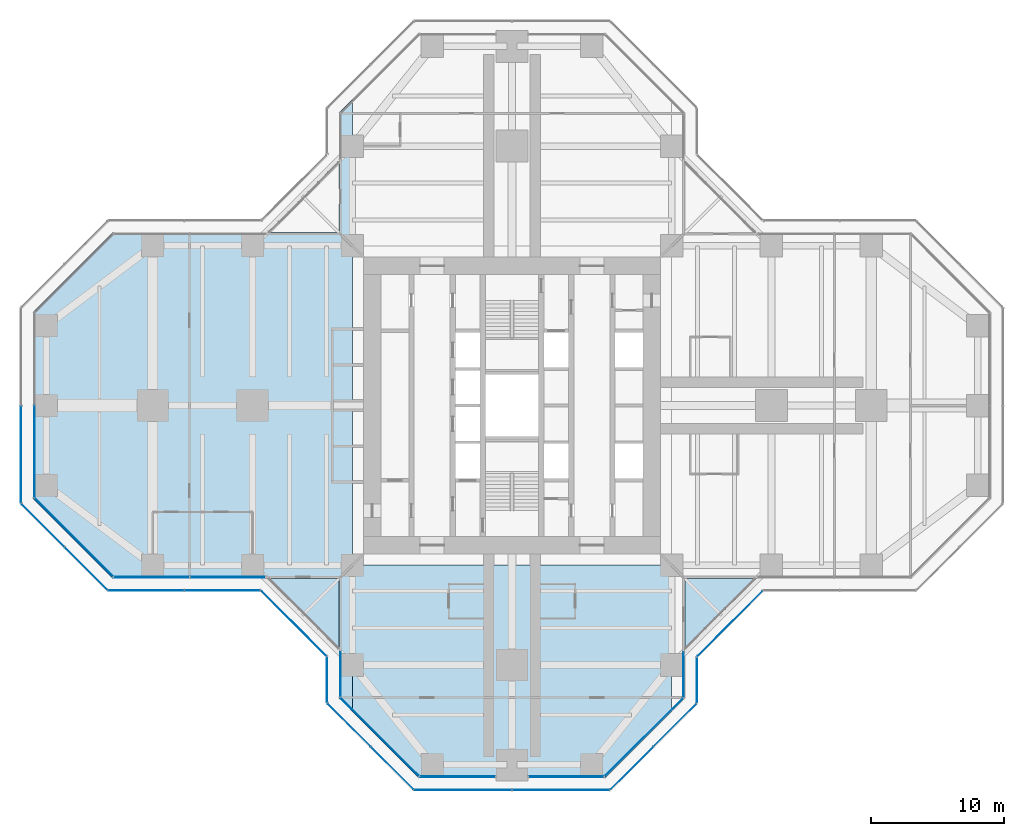
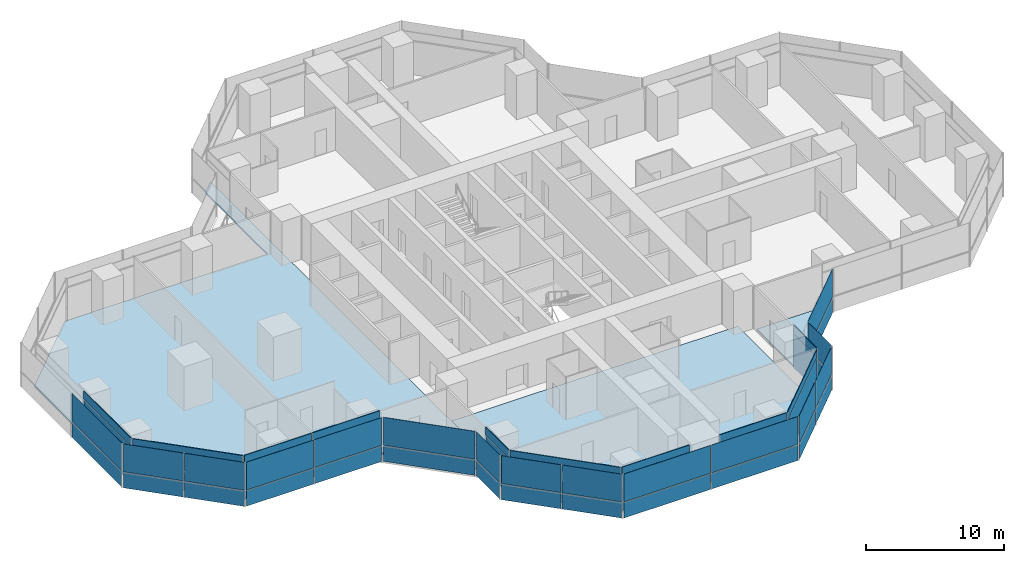
# One storey, part 12 of 20: 50 plates, 4 slabs, 19 elements without a shape of their own.
"""IFC4 building model written with IfcOpenShell, lengths in metres."""

from ifc_helpers import new_model, si_unit, direction, frame, origin, origin_2d, place, context, subcontext, project, spatial, polyline, rectangle, outline, extrude, material, layer, layer_set, type_object, element, aggregate, save


model = new_model("IFC4")

# Units and contexts
model_context = context("Model", 3, precision=1e-05, world=origin(), true_north=direction((0.0, 1.0)))
body_context = subcontext(model_context, "Body", "Model", "MODEL_VIEW")
ifc_project = project(units=[si_unit("LENGTHUNIT", "METRE"), si_unit("AREAUNIT", "SQUARE_METRE"), si_unit("VOLUMEUNIT", "CUBIC_METRE"), si_unit("PLANEANGLEUNIT", "RADIAN"), si_unit("MASSUNIT", "GRAM", prefix="KILO")], contexts=[model_context])

# Site, building, storey
site_placement = place(None, origin())
site = spatial("IfcSite", under=ifc_project, at=site_placement, CompositionType="ELEMENT")
building_placement = place(site_placement, origin())
building = spatial("IfcBuilding", under=site, at=building_placement, Name="Mizan Broadcast Tower", CompositionType="ELEMENT")
storey_placement = place(building_placement, frame((0.0, 0.0, 190.5)))
storey = spatial("IfcBuildingStorey", under=building, at=storey_placement, Name="L44", CompositionType="ELEMENT", Elevation=190.5)

# Slabs
ifc_material_1 = material(Name="Concrete C32/40", Category="concrete")
ifc_layer_1 = layer(ifc_material_1, 0.1298828125)
ifc_layer_set_1 = layer_set([ifc_layer_1], Name="Concrete C32/40")
slab_type_1 = type_object("IfcSlabType", Name="COMPOSITE DECK SLAB 130", PredefinedType="FLOOR", material=ifc_layer_set_1)
slab_1_placement = place(storey_placement, frame((0.0, 0.0, -0.1298828125)))
element("IfcSlab", 1, at=slab_1_placement, inside=storey, type_object=slab_type_1, Name="Floor slab L44 west arm", PredefinedType="FLOOR", context=body_context, shape_type="SweptSolid", body=[
    extrude(outline(polyline([(-13.0, -22.0), (-12.0, -23.0), (-12.0, 23.0), (-13.0, 22.0), (-13.0, 13.0), (-30.0, 13.0), (-36.0, 7.0), (-36.0, -7.0), (-30.0, -13.0), (-13.0, -13.0), (-13.0, -22.0)])), origin(), (0.0, 0.0, 1.0), 0.1298828125),
])
slab_2_placement = place(storey_placement, frame((0.0, 0.0, -0.1298828125)))
element("IfcSlab", 2, at=slab_2_placement, inside=storey, type_object=slab_type_1, Name="Floor slab L44 south arm", PredefinedType="FLOOR", context=body_context, shape_type="SweptSolid", body=[
    extrude(outline(polyline([(7.0, -28.0), (12.0, -23.0), (12.0, -12.0), (-12.0, -12.0), (-12.0, -23.0), (-7.0, -28.0), (7.0, -28.0)])), origin(), (0.0, 0.0, 1.0), 0.1298828125),
])

# Curtain wall, plate
ifc_material_2 = material(Name="Aluminium framed glazing", Category="aluminium")
curtain_wall_type_1 = type_object("IfcCurtainWallType", Name="INNER SKIN MID ZONE", PredefinedType="USERDEFINED", material=ifc_material_2)
curtain_wall_1_placement = place(storey_placement, origin())
curtain_wall_1 = element("IfcCurtainWall", 3, at=curtain_wall_1_placement, inside=storey, type_object=curtain_wall_type_1, Name="Inner skin mid zone L44 W end", ObjectType="INNER SKIN MID ZONE", PredefinedType="USERDEFINED")
ifc_material_3 = material(Name="Double glazing, clear low-e", Category="glass")
ifc_layer_2 = layer(ifc_material_3, 0.028076171875)
ifc_layer_set_2 = layer_set([ifc_layer_2], Name="Double glazing, clear low-e")
plate_type_1 = type_object("IfcPlateType", Name="INNER SKIN GLAZING UNIT", PredefinedType="CURTAIN_PANEL", material=ifc_layer_set_2)
plate_1_placement = place(storey_placement, frame((-35.89990234375, -3.46435546875, 0.0), z_axis=(0.0, 0.0, 1.0), x_axis=(0.0, -1.0, 0.0)))
plate_1 = element("IfcPlate", 4, at=plate_1_placement, type_object=plate_type_1, Name="Inner skin mid zone L44 W end panel 2.1", PredefinedType="CURTAIN_PANEL", context=body_context, shape_type="SweptSolid", body=[
    extrude(rectangle(XDim=6.86865234375, YDim=0.028076171875, at=origin_2d()), origin(), (0.0, 0.0, 1.0), 3.0),
])

curtain_wall_2_placement = place(storey_placement, origin())
curtain_wall_2 = element("IfcCurtainWall", 5, at=curtain_wall_2_placement, inside=storey, type_object=curtain_wall_type_1, Name="Inner skin mid zone L44 W chamfer", ObjectType="INNER SKIN MID ZONE", PredefinedType="USERDEFINED")
plate_2_placement = place(storey_placement, frame((-32.92919921875, -9.92919921875, 0.0), z_axis=(0.0, 0.0, 1.0), x_axis=(0.707106781187, -0.707106781187, 0.0)))
plate_2 = element("IfcPlate", 6, at=plate_2_placement, type_object=plate_type_1, Name="Inner skin mid zone L44 W chamfer panel 1.1", PredefinedType="CURTAIN_PANEL", context=body_context, shape_type="SweptSolid", body=[
    extrude(rectangle(XDim=8.282470703125, YDim=0.028076171875, at=origin_2d()), origin(), (0.0, 0.0, 1.0), 3.0),
])

# Curtain wall, plates
curtain_wall_3_placement = place(storey_placement, origin())
curtain_wall_3 = element("IfcCurtainWall", 7, at=curtain_wall_3_placement, inside=storey, type_object=curtain_wall_type_1, Name="Inner skin mid zone L44 W side", ObjectType="INNER SKIN MID ZONE", PredefinedType="USERDEFINED")
plate_3_placement = place(storey_placement, frame((-27.078857421875, -12.89990234375, 0.0), z_axis=(0.0, 0.0, 1.0), x_axis=(1.0, 0.0, 0.0)))
plate_3 = element("IfcPlate", 8, at=plate_3_placement, type_object=plate_type_1, Name="Inner skin mid zone L44 W side panel 1.1", PredefinedType="CURTAIN_PANEL", context=body_context, shape_type="SweptSolid", body=[
    extrude(rectangle(XDim=5.639404296875, YDim=0.028076171875, at=origin_2d()), origin(), (0.0, 0.0, 1.0), 3.0),
])
plate_4_placement = place(storey_placement, frame((-21.379638671875, -12.89990234375, 0.0), z_axis=(0.0, 0.0, 1.0), x_axis=(1.0, 0.0, 0.0)))
plate_4 = element("IfcPlate", 9, at=plate_4_placement, type_object=plate_type_1, Name="Inner skin mid zone L44 W side panel 2.1", PredefinedType="CURTAIN_PANEL", context=body_context, shape_type="SweptSolid", body=[
    extrude(rectangle(XDim=5.639404296875, YDim=0.028076171875, at=origin_2d()), origin(), (0.0, 0.0, 1.0), 3.0),
])

# Curtain wall, plate
curtain_wall_4_placement = place(storey_placement, origin())
curtain_wall_4 = element("IfcCurtainWall", 10, at=curtain_wall_4_placement, inside=storey, type_object=curtain_wall_type_1, Name="Inner skin mid zone L44 S side", ObjectType="INNER SKIN MID ZONE", PredefinedType="USERDEFINED")
plate_5_placement = place(storey_placement, frame((-12.89990234375, -20.229248046875, 0.0), z_axis=(0.0, 0.0, 1.0), x_axis=(0.0, -1.0, 0.0)))
plate_5 = element("IfcPlate", 11, at=plate_5_placement, type_object=plate_type_1, Name="Inner skin mid zone L44 S side panel 1.1", PredefinedType="CURTAIN_PANEL", context=body_context, shape_type="SweptSolid", body=[
    extrude(rectangle(XDim=3.338623046875, YDim=0.028076171875, at=origin_2d()), origin(), (0.0, 0.0, 1.0), 3.0),
])

curtain_wall_5_placement = place(storey_placement, origin())
curtain_wall_5 = element("IfcCurtainWall", 12, at=curtain_wall_5_placement, inside=storey, type_object=curtain_wall_type_1, Name="Inner skin mid zone L44 S chamfer", ObjectType="INNER SKIN MID ZONE", PredefinedType="USERDEFINED")
plate_6_placement = place(storey_placement, frame((-9.92919921875, -24.92919921875, 0.0), z_axis=(0.0, 0.0, 1.0), x_axis=(0.707106781187, -0.707106781187, 0.0)))
plate_6 = element("IfcPlate", 13, at=plate_6_placement, type_object=plate_type_1, Name="Inner skin mid zone L44 S chamfer panel 1.1", PredefinedType="CURTAIN_PANEL", context=body_context, shape_type="SweptSolid", body=[
    extrude(rectangle(XDim=8.282470703125, YDim=0.028076171875, at=origin_2d()), origin(), (0.0, 0.0, 1.0), 3.0),
])

curtain_wall_6_placement = place(storey_placement, origin())
curtain_wall_6 = element("IfcCurtainWall", 14, at=curtain_wall_6_placement, inside=storey, type_object=curtain_wall_type_1, Name="Inner skin mid zone L44 S end", ObjectType="INNER SKIN MID ZONE", PredefinedType="USERDEFINED")
plate_7_placement = place(storey_placement, frame((-4.079345703125, -27.89990234375, 0.0), z_axis=(0.0, 0.0, 1.0), x_axis=(1.0, 0.0, 0.0)))
plate_7 = element("IfcPlate", 15, at=plate_7_placement, type_object=plate_type_1, Name="Inner skin mid zone L44 S end panel 1.1", PredefinedType="CURTAIN_PANEL", context=body_context, shape_type="SweptSolid", body=[
    extrude(rectangle(XDim=5.638671875, YDim=0.028076171875, at=origin_2d()), origin(), (0.0, 0.0, 1.0), 3.0),
])

curtain_wall_7_placement = place(storey_placement, origin())
curtain_wall_7 = element("IfcCurtainWall", 16, at=curtain_wall_7_placement, inside=storey, type_object=curtain_wall_type_1, Name="Inner skin mid zone L44 S end", ObjectType="INNER SKIN MID ZONE", PredefinedType="USERDEFINED")
plate_8_placement = place(storey_placement, frame((4.079345703125, -27.89990234375, 0.0), z_axis=(0.0, 0.0, 1.0), x_axis=(1.0, 0.0, 0.0)))
plate_8 = element("IfcPlate", 17, at=plate_8_placement, type_object=plate_type_1, Name="Inner skin mid zone L44 S end panel 1.1", PredefinedType="CURTAIN_PANEL", context=body_context, shape_type="SweptSolid", body=[
    extrude(rectangle(XDim=5.638671875, YDim=0.028076171875, at=origin_2d()), origin(), (0.0, 0.0, 1.0), 3.0),
])

curtain_wall_8_placement = place(storey_placement, origin())
curtain_wall_8 = element("IfcCurtainWall", 18, at=curtain_wall_8_placement, inside=storey, type_object=curtain_wall_type_1, Name="Inner skin mid zone L44 S chamfer", ObjectType="INNER SKIN MID ZONE", PredefinedType="USERDEFINED")
plate_9_placement = place(storey_placement, frame((9.92919921875, -24.92919921875, 0.0), z_axis=(0.0, 0.0, 1.0), x_axis=(0.707106781187, 0.707106781187, 0.0)))
plate_9 = element("IfcPlate", 19, at=plate_9_placement, type_object=plate_type_1, Name="Inner skin mid zone L44 S chamfer panel 1.1", PredefinedType="CURTAIN_PANEL", context=body_context, shape_type="SweptSolid", body=[
    extrude(rectangle(XDim=8.282470703125, YDim=0.028076171875, at=origin_2d()), origin(), (0.0, 0.0, 1.0), 3.0),
])

curtain_wall_9_placement = place(storey_placement, origin())
curtain_wall_9 = element("IfcCurtainWall", 20, at=curtain_wall_9_placement, inside=storey, type_object=curtain_wall_type_1, Name="Inner skin mid zone L44 S side", ObjectType="INNER SKIN MID ZONE", PredefinedType="USERDEFINED")
plate_10_placement = place(storey_placement, frame((12.89990234375, -20.229248046875, 0.0), z_axis=(0.0, 0.0, 1.0), x_axis=(0.0, 1.0, 0.0)))
plate_10 = element("IfcPlate", 21, at=plate_10_placement, type_object=plate_type_1, Name="Inner skin mid zone L44 S side panel 1.1", PredefinedType="CURTAIN_PANEL", context=body_context, shape_type="SweptSolid", body=[
    extrude(rectangle(XDim=3.338623046875, YDim=0.028076171875, at=origin_2d()), origin(), (0.0, 0.0, 1.0), 3.0),
])

# Plate
ifc_material_4 = material(Name="Insulated aluminium spandrel panel, pale anodised", Category="aluminium")
ifc_layer_3 = layer(ifc_material_4, 0.050048828125)
ifc_layer_set_3 = layer_set([ifc_layer_3], Name="Insulated aluminium spandrel panel, pale anodised")
plate_type_2 = type_object("IfcPlateType", Name="INNER SKIN SPANDREL PANEL", PredefinedType="CURTAIN_PANEL", material=ifc_layer_set_3)
plate_11_placement = place(storey_placement, frame((-35.89990234375, -3.46435546875, 3.06005859375), z_axis=(0.0, 0.0, 1.0), x_axis=(0.0, -1.0, 0.0)))
plate_11 = element("IfcPlate", 22, at=plate_11_placement, type_object=plate_type_2, Name="Inner skin mid zone L44 W end panel 2.2", PredefinedType="CURTAIN_PANEL", context=body_context, shape_type="SweptSolid", body=[
    extrude(rectangle(XDim=6.86865234375, YDim=0.050048828125, at=origin_2d()), origin(), (0.0, 0.0, 1.0), 0.7099609375),
])

aggregate(curtain_wall_1, [plate_1, plate_11])

plate_12_placement = place(storey_placement, frame((-32.92919921875, -9.92919921875, 3.06005859375), z_axis=(0.0, 0.0, 1.0), x_axis=(0.707106781187, -0.707106781187, 0.0)))
plate_12 = element("IfcPlate", 23, at=plate_12_placement, type_object=plate_type_2, Name="Inner skin mid zone L44 W chamfer panel 1.2", PredefinedType="CURTAIN_PANEL", context=body_context, shape_type="SweptSolid", body=[
    extrude(rectangle(XDim=8.282470703125, YDim=0.050048828125, at=origin_2d()), origin(), (0.0, 0.0, 1.0), 0.7099609375),
])

aggregate(curtain_wall_2, [plate_2, plate_12])

plate_13_placement = place(storey_placement, frame((-27.078857421875, -12.89990234375, 3.06005859375), z_axis=(0.0, 0.0, 1.0), x_axis=(1.0, 0.0, 0.0)))
plate_13 = element("IfcPlate", 24, at=plate_13_placement, type_object=plate_type_2, Name="Inner skin mid zone L44 W side panel 1.2", PredefinedType="CURTAIN_PANEL", context=body_context, shape_type="SweptSolid", body=[
    extrude(rectangle(XDim=5.639404296875, YDim=0.050048828125, at=origin_2d()), origin(), (0.0, 0.0, 1.0), 0.7099609375),
])

plate_14_placement = place(storey_placement, frame((-21.379638671875, -12.89990234375, 3.06005859375), z_axis=(0.0, 0.0, 1.0), x_axis=(1.0, 0.0, 0.0)))
plate_14 = element("IfcPlate", 25, at=plate_14_placement, type_object=plate_type_2, Name="Inner skin mid zone L44 W side panel 2.2", PredefinedType="CURTAIN_PANEL", context=body_context, shape_type="SweptSolid", body=[
    extrude(rectangle(XDim=5.639404296875, YDim=0.050048828125, at=origin_2d()), origin(), (0.0, 0.0, 1.0), 0.7099609375),
])

aggregate(curtain_wall_3, [plate_3, plate_13, plate_4, plate_14])

plate_15_placement = place(storey_placement, frame((-12.89990234375, -20.229248046875, 3.06005859375), z_axis=(0.0, 0.0, 1.0), x_axis=(0.0, -1.0, 0.0)))
plate_15 = element("IfcPlate", 26, at=plate_15_placement, type_object=plate_type_2, Name="Inner skin mid zone L44 S side panel 1.2", PredefinedType="CURTAIN_PANEL", context=body_context, shape_type="SweptSolid", body=[
    extrude(rectangle(XDim=3.338623046875, YDim=0.050048828125, at=origin_2d()), origin(), (0.0, 0.0, 1.0), 0.7099609375),
])

aggregate(curtain_wall_4, [plate_5, plate_15])

plate_16_placement = place(storey_placement, frame((-9.92919921875, -24.92919921875, 3.06005859375), z_axis=(0.0, 0.0, 1.0), x_axis=(0.707106781187, -0.707106781187, 0.0)))
plate_16 = element("IfcPlate", 27, at=plate_16_placement, type_object=plate_type_2, Name="Inner skin mid zone L44 S chamfer panel 1.2", PredefinedType="CURTAIN_PANEL", context=body_context, shape_type="SweptSolid", body=[
    extrude(rectangle(XDim=8.282470703125, YDim=0.050048828125, at=origin_2d()), origin(), (0.0, 0.0, 1.0), 0.7099609375),
])

aggregate(curtain_wall_5, [plate_6, plate_16])

plate_17_placement = place(storey_placement, frame((-4.079345703125, -27.89990234375, 3.06005859375), z_axis=(0.0, 0.0, 1.0), x_axis=(1.0, 0.0, 0.0)))
plate_17 = element("IfcPlate", 28, at=plate_17_placement, type_object=plate_type_2, Name="Inner skin mid zone L44 S end panel 1.2", PredefinedType="CURTAIN_PANEL", context=body_context, shape_type="SweptSolid", body=[
    extrude(rectangle(XDim=5.638671875, YDim=0.050048828125, at=origin_2d()), origin(), (0.0, 0.0, 1.0), 0.7099609375),
])

aggregate(curtain_wall_6, [plate_7, plate_17])

plate_18_placement = place(storey_placement, frame((4.079345703125, -27.89990234375, 3.06005859375), z_axis=(0.0, 0.0, 1.0), x_axis=(1.0, 0.0, 0.0)))
plate_18 = element("IfcPlate", 29, at=plate_18_placement, type_object=plate_type_2, Name="Inner skin mid zone L44 S end panel 1.2", PredefinedType="CURTAIN_PANEL", context=body_context, shape_type="SweptSolid", body=[
    extrude(rectangle(XDim=5.638671875, YDim=0.050048828125, at=origin_2d()), origin(), (0.0, 0.0, 1.0), 0.7099609375),
])

aggregate(curtain_wall_7, [plate_8, plate_18])

plate_19_placement = place(storey_placement, frame((9.92919921875, -24.92919921875, 3.06005859375), z_axis=(0.0, 0.0, 1.0), x_axis=(0.707106781187, 0.707106781187, 0.0)))
plate_19 = element("IfcPlate", 30, at=plate_19_placement, type_object=plate_type_2, Name="Inner skin mid zone L44 S chamfer panel 1.2", PredefinedType="CURTAIN_PANEL", context=body_context, shape_type="SweptSolid", body=[
    extrude(rectangle(XDim=8.282470703125, YDim=0.050048828125, at=origin_2d()), origin(), (0.0, 0.0, 1.0), 0.7099609375),
])

aggregate(curtain_wall_8, [plate_9, plate_19])

plate_20_placement = place(storey_placement, frame((12.89990234375, -20.229248046875, 3.06005859375), z_axis=(0.0, 0.0, 1.0), x_axis=(0.0, 1.0, 0.0)))
plate_20 = element("IfcPlate", 31, at=plate_20_placement, type_object=plate_type_2, Name="Inner skin mid zone L44 S side panel 1.2", PredefinedType="CURTAIN_PANEL", context=body_context, shape_type="SweptSolid", body=[
    extrude(rectangle(XDim=3.338623046875, YDim=0.050048828125, at=origin_2d()), origin(), (0.0, 0.0, 1.0), 0.7099609375),
])

aggregate(curtain_wall_9, [plate_10, plate_20])

# Curtain wall, plates
ifc_material_5 = material(Name="Aluminium framed glazing", Category="aluminium")
curtain_wall_type_2 = type_object("IfcCurtainWallType", Name="OUTER SKIN", PredefinedType="USERDEFINED", material=ifc_material_5)
curtain_wall_10_placement = place(storey_placement, origin())
curtain_wall_10 = element("IfcCurtainWall", 32, at=curtain_wall_10_placement, inside=storey, type_object=curtain_wall_type_2, Name="Outer skin L44 W chamfer", ObjectType="OUTER SKIN", PredefinedType="USERDEFINED")
ifc_material_6 = material(Name="Laminated clear glass", Category="glass")
ifc_layer_4 = layer(ifc_material_6, 0.02001953125)
ifc_layer_set_4 = layer_set([ifc_layer_4], Name="Laminated clear glass")
plate_type_3 = type_object("IfcPlateType", Name="OUTER SKIN CLEAR GLASS", PredefinedType="CURTAIN_PANEL", material=ifc_layer_set_4)
plate_21_placement = place(storey_placement, frame((-35.254150390625, -9.018798828125, 0.0), z_axis=(0.0, 0.0, 1.0), x_axis=(0.707106781187, -0.707106781187, 0.0)))
plate_21 = element("IfcPlate", 33, at=plate_21_placement, type_object=plate_type_3, Name="Outer skin L44 W chamfer panel 1.1", PredefinedType="CURTAIN_PANEL", context=body_context, shape_type="SweptSolid", body=[
    extrude(rectangle(XDim=4.495361328125, YDim=0.02001953125, at=origin_2d()), origin(), (0.0, 0.0, 1.0), 1.3701171875),
])
plate_22_placement = place(storey_placement, frame((-35.254150390625, -9.018798828125, 1.43017578125), z_axis=(0.0, 0.0, 1.0), x_axis=(0.707106781187, -0.707106781187, 0.0)))
plate_22 = element("IfcPlate", 34, at=plate_22_placement, type_object=plate_type_3, Name="Outer skin L44 W chamfer panel 1.2", PredefinedType="CURTAIN_PANEL", context=body_context, shape_type="SweptSolid", body=[
    extrude(rectangle(XDim=4.495361328125, YDim=0.02001953125, at=origin_2d()), origin(), (0.0, 0.0, 1.0), 2.469970703125),
])

curtain_wall_11_placement = place(storey_placement, origin())
curtain_wall_11 = element("IfcCurtainWall", 35, at=curtain_wall_11_placement, inside=storey, type_object=curtain_wall_type_2, Name="Outer skin L44 W side", ObjectType="OUTER SKIN", PredefinedType="USERDEFINED")
plate_23_placement = place(storey_placement, frame((-27.477783203125, -13.89990234375, 0.0), z_axis=(0.0, 0.0, 1.0), x_axis=(1.0, 0.0, 0.0)))
plate_23 = element("IfcPlate", 36, at=plate_23_placement, type_object=plate_type_3, Name="Outer skin L44 W side panel 1.1", PredefinedType="CURTAIN_PANEL", context=body_context, shape_type="SweptSolid", body=[
    extrude(rectangle(XDim=5.6298828125, YDim=0.02001953125, at=origin_2d()), origin(), (0.0, 0.0, 1.0), 1.3701171875),
])
plate_24_placement = place(storey_placement, frame((-27.477783203125, -13.89990234375, 1.43017578125), z_axis=(0.0, 0.0, 1.0), x_axis=(1.0, 0.0, 0.0)))
plate_24 = element("IfcPlate", 37, at=plate_24_placement, type_object=plate_type_3, Name="Outer skin L44 W side panel 1.2", PredefinedType="CURTAIN_PANEL", context=body_context, shape_type="SweptSolid", body=[
    extrude(rectangle(XDim=5.6298828125, YDim=0.02001953125, at=origin_2d()), origin(), (0.0, 0.0, 1.0), 2.469970703125),
])

curtain_wall_12_placement = place(storey_placement, origin())
curtain_wall_12 = element("IfcCurtainWall", 38, at=curtain_wall_12_placement, inside=storey, type_object=curtain_wall_type_2, Name="Outer skin L44 W chamfer", ObjectType="OUTER SKIN", PredefinedType="USERDEFINED")
plate_25_placement = place(storey_placement, frame((-16.386474609375, -16.386474609375, 0.0), z_axis=(0.0, 0.0, 1.0), x_axis=(0.707106781187, -0.707106781187, 0.0)))
plate_25 = element("IfcPlate", 39, at=plate_25_placement, type_object=plate_type_3, Name="Outer skin L44 W chamfer panel 1.1", PredefinedType="CURTAIN_PANEL", context=body_context, shape_type="SweptSolid", body=[
    extrude(rectangle(XDim=6.87255859375, YDim=0.02001953125, at=origin_2d()), origin(), (0.0, 0.0, 1.0), 1.3701171875),
])
plate_26_placement = place(storey_placement, frame((-16.386474609375, -16.386474609375, 1.43017578125), z_axis=(0.0, 0.0, 1.0), x_axis=(0.707106781187, -0.707106781187, 0.0)))
plate_26 = element("IfcPlate", 40, at=plate_26_placement, type_object=plate_type_3, Name="Outer skin L44 W chamfer panel 1.2", PredefinedType="CURTAIN_PANEL", context=body_context, shape_type="SweptSolid", body=[
    extrude(rectangle(XDim=6.87255859375, YDim=0.02001953125, at=origin_2d()), origin(), (0.0, 0.0, 1.0), 2.469970703125),
])
aggregate(curtain_wall_12, [plate_25, plate_26])

curtain_wall_13_placement = place(storey_placement, origin())
curtain_wall_13 = element("IfcCurtainWall", 41, at=curtain_wall_13_placement, inside=storey, type_object=curtain_wall_type_2, Name="Outer skin L44 S side", ObjectType="OUTER SKIN", PredefinedType="USERDEFINED")
plate_27_placement = place(storey_placement, frame((-13.89990234375, -20.622802734375, 0.0), z_axis=(0.0, 0.0, 1.0), x_axis=(0.0, -1.0, 0.0)))
plate_27 = element("IfcPlate", 42, at=plate_27_placement, type_object=plate_type_3, Name="Outer skin L44 S side panel 1.1", PredefinedType="CURTAIN_PANEL", context=body_context, shape_type="SweptSolid", body=[
    extrude(rectangle(XDim=3.340087890625, YDim=0.02001953125, at=origin_2d()), origin(), (0.0, 0.0, 1.0), 1.3701171875),
])
plate_28_placement = place(storey_placement, frame((-13.89990234375, -20.622802734375, 1.43017578125), z_axis=(0.0, 0.0, 1.0), x_axis=(0.0, -1.0, 0.0)))
plate_28 = element("IfcPlate", 43, at=plate_28_placement, type_object=plate_type_3, Name="Outer skin L44 S side panel 1.2", PredefinedType="CURTAIN_PANEL", context=body_context, shape_type="SweptSolid", body=[
    extrude(rectangle(XDim=3.340087890625, YDim=0.02001953125, at=origin_2d()), origin(), (0.0, 0.0, 1.0), 2.469970703125),
])
aggregate(curtain_wall_13, [plate_27, plate_28])

curtain_wall_14_placement = place(storey_placement, origin())
curtain_wall_14 = element("IfcCurtainWall", 44, at=curtain_wall_14_placement, inside=storey, type_object=curtain_wall_type_2, Name="Outer skin L44 S chamfer", ObjectType="OUTER SKIN", PredefinedType="USERDEFINED")
plate_29_placement = place(storey_placement, frame((-12.254150390625, -24.018798828125, 0.0), z_axis=(0.0, 0.0, 1.0), x_axis=(0.707106781187, -0.707106781187, 0.0)))
plate_29 = element("IfcPlate", 45, at=plate_29_placement, type_object=plate_type_3, Name="Outer skin L44 S chamfer panel 1.1", PredefinedType="CURTAIN_PANEL", context=body_context, shape_type="SweptSolid", body=[
    extrude(rectangle(XDim=4.495361328125, YDim=0.02001953125, at=origin_2d()), origin(), (0.0, 0.0, 1.0), 1.3701171875),
])
plate_30_placement = place(storey_placement, frame((-12.254150390625, -24.018798828125, 1.43017578125), z_axis=(0.0, 0.0, 1.0), x_axis=(0.707106781187, -0.707106781187, 0.0)))
plate_30 = element("IfcPlate", 46, at=plate_30_placement, type_object=plate_type_3, Name="Outer skin L44 S chamfer panel 1.2", PredefinedType="CURTAIN_PANEL", context=body_context, shape_type="SweptSolid", body=[
    extrude(rectangle(XDim=4.495361328125, YDim=0.02001953125, at=origin_2d()), origin(), (0.0, 0.0, 1.0), 2.469970703125),
])

curtain_wall_15_placement = place(storey_placement, origin())
curtain_wall_15 = element("IfcCurtainWall", 47, at=curtain_wall_15_placement, inside=storey, type_object=curtain_wall_type_2, Name="Outer skin L44 S end", ObjectType="OUTER SKIN", PredefinedType="USERDEFINED")
plate_31_placement = place(storey_placement, frame((-3.66650390625, -28.89990234375, 0.0), z_axis=(0.0, 0.0, 1.0), x_axis=(1.0, 0.0, 0.0)))
plate_31 = element("IfcPlate", 48, at=plate_31_placement, type_object=plate_type_3, Name="Outer skin L44 S end panel 1.1", PredefinedType="CURTAIN_PANEL", context=body_context, shape_type="SweptSolid", body=[
    extrude(rectangle(XDim=7.252685546875, YDim=0.02001953125, at=origin_2d()), origin(), (0.0, 0.0, 1.0), 1.3701171875),
])
plate_32_placement = place(storey_placement, frame((-3.66650390625, -28.89990234375, 1.43017578125), z_axis=(0.0, 0.0, 1.0), x_axis=(1.0, 0.0, 0.0)))
plate_32 = element("IfcPlate", 49, at=plate_32_placement, type_object=plate_type_3, Name="Outer skin L44 S end panel 1.2", PredefinedType="CURTAIN_PANEL", context=body_context, shape_type="SweptSolid", body=[
    extrude(rectangle(XDim=7.252685546875, YDim=0.02001953125, at=origin_2d()), origin(), (0.0, 0.0, 1.0), 2.469970703125),
])

curtain_wall_16_placement = place(storey_placement, origin())
curtain_wall_16 = element("IfcCurtainWall", 50, at=curtain_wall_16_placement, inside=storey, type_object=curtain_wall_type_2, Name="Outer skin L44 S chamfer", ObjectType="OUTER SKIN", PredefinedType="USERDEFINED")
plate_33_placement = place(storey_placement, frame((9.018798828125, -27.254150390625, 0.0), z_axis=(0.0, 0.0, 1.0), x_axis=(0.707106781187, 0.707106781187, 0.0)))
plate_33 = element("IfcPlate", 51, at=plate_33_placement, type_object=plate_type_3, Name="Outer skin L44 S chamfer panel 1.1", PredefinedType="CURTAIN_PANEL", context=body_context, shape_type="SweptSolid", body=[
    extrude(rectangle(XDim=4.495361328125, YDim=0.02001953125, at=origin_2d()), origin(), (0.0, 0.0, 1.0), 1.3701171875),
])
plate_34_placement = place(storey_placement, frame((9.018798828125, -27.254150390625, 1.43017578125), z_axis=(0.0, 0.0, 1.0), x_axis=(0.707106781187, 0.707106781187, 0.0)))
plate_34 = element("IfcPlate", 52, at=plate_34_placement, type_object=plate_type_3, Name="Outer skin L44 S chamfer panel 1.2", PredefinedType="CURTAIN_PANEL", context=body_context, shape_type="SweptSolid", body=[
    extrude(rectangle(XDim=4.495361328125, YDim=0.02001953125, at=origin_2d()), origin(), (0.0, 0.0, 1.0), 2.469970703125),
])

curtain_wall_17_placement = place(storey_placement, origin())
curtain_wall_17 = element("IfcCurtainWall", 53, at=curtain_wall_17_placement, inside=storey, type_object=curtain_wall_type_2, Name="Outer skin L44 S side", ObjectType="OUTER SKIN", PredefinedType="USERDEFINED")
plate_35_placement = place(storey_placement, frame((13.89990234375, -20.622802734375, 0.0), z_axis=(0.0, 0.0, 1.0), x_axis=(0.0, 1.0, 0.0)))
plate_35 = element("IfcPlate", 54, at=plate_35_placement, type_object=plate_type_3, Name="Outer skin L44 S side panel 1.1", PredefinedType="CURTAIN_PANEL", context=body_context, shape_type="SweptSolid", body=[
    extrude(rectangle(XDim=3.340087890625, YDim=0.02001953125, at=origin_2d()), origin(), (0.0, 0.0, 1.0), 1.3701171875),
])
plate_36_placement = place(storey_placement, frame((13.89990234375, -20.622802734375, 1.43017578125), z_axis=(0.0, 0.0, 1.0), x_axis=(0.0, 1.0, 0.0)))
plate_36 = element("IfcPlate", 55, at=plate_36_placement, type_object=plate_type_3, Name="Outer skin L44 S side panel 1.2", PredefinedType="CURTAIN_PANEL", context=body_context, shape_type="SweptSolid", body=[
    extrude(rectangle(XDim=3.340087890625, YDim=0.02001953125, at=origin_2d()), origin(), (0.0, 0.0, 1.0), 2.469970703125),
])
aggregate(curtain_wall_17, [plate_35, plate_36])

curtain_wall_18_placement = place(storey_placement, origin())
curtain_wall_18 = element("IfcCurtainWall", 56, at=curtain_wall_18_placement, inside=storey, type_object=curtain_wall_type_2, Name="Outer skin L44 E chamfer", ObjectType="OUTER SKIN", PredefinedType="USERDEFINED")
plate_37_placement = place(storey_placement, frame((16.386474609375, -16.386474609375, 0.0), z_axis=(0.0, 0.0, 1.0), x_axis=(0.707106781187, 0.707106781187, 0.0)))
plate_37 = element("IfcPlate", 57, at=plate_37_placement, type_object=plate_type_3, Name="Outer skin L44 E chamfer panel 1.1", PredefinedType="CURTAIN_PANEL", context=body_context, shape_type="SweptSolid", body=[
    extrude(rectangle(XDim=6.87255859375, YDim=0.02001953125, at=origin_2d()), origin(), (0.0, 0.0, 1.0), 1.3701171875),
])
plate_38_placement = place(storey_placement, frame((16.386474609375, -16.386474609375, 1.43017578125), z_axis=(0.0, 0.0, 1.0), x_axis=(0.707106781187, 0.707106781187, 0.0)))
plate_38 = element("IfcPlate", 58, at=plate_38_placement, type_object=plate_type_3, Name="Outer skin L44 E chamfer panel 1.2", PredefinedType="CURTAIN_PANEL", context=body_context, shape_type="SweptSolid", body=[
    extrude(rectangle(XDim=6.87255859375, YDim=0.02001953125, at=origin_2d()), origin(), (0.0, 0.0, 1.0), 2.469970703125),
])
aggregate(curtain_wall_18, [plate_37, plate_38])

curtain_wall_19_placement = place(storey_placement, origin())
curtain_wall_19 = element("IfcCurtainWall", 59, at=curtain_wall_19_placement, inside=storey, type_object=curtain_wall_type_2, Name="Outer skin L44 W end", ObjectType="OUTER SKIN", PredefinedType="USERDEFINED")
ifc_material_7 = material(Name="Perforated aluminium, pale anodised", Category="aluminium")
ifc_layer_5 = layer(ifc_material_7, 0.011962890625)
ifc_layer_set_5 = layer_set([ifc_layer_5], Name="Perforated aluminium, pale anodised")
plate_type_4 = type_object("IfcPlateType", Name="OUTER SKIN PERFORATED SCREEN", PredefinedType="USERDEFINED", material=ifc_layer_set_5)
plate_39_placement = place(storey_placement, frame((-36.89990234375, -3.66650390625, 0.0), z_axis=(0.0, 0.0, 1.0), x_axis=(0.0, -1.0, 0.0)))
plate_39 = element("IfcPlate", 60, at=plate_39_placement, type_object=plate_type_4, Name="Outer skin L44 W end panel 2.1", ObjectType="SCREEN", PredefinedType="USERDEFINED", context=body_context, shape_type="SweptSolid", body=[
    extrude(rectangle(XDim=7.252685546875, YDim=0.011962890625, at=origin_2d()), origin(), (0.0, 0.0, 1.0), 1.3701171875),
])
plate_40_placement = place(storey_placement, frame((-36.89990234375, -3.66650390625, 1.43017578125), z_axis=(0.0, 0.0, 1.0), x_axis=(0.0, -1.0, 0.0)))
plate_40 = element("IfcPlate", 61, at=plate_40_placement, type_object=plate_type_4, Name="Outer skin L44 W end panel 2.2", ObjectType="SCREEN", PredefinedType="USERDEFINED", context=body_context, shape_type="SweptSolid", body=[
    extrude(rectangle(XDim=7.252685546875, YDim=0.011962890625, at=origin_2d()), origin(), (0.0, 0.0, 1.0), 2.469970703125),
])
aggregate(curtain_wall_19, [plate_39, plate_40])

# Plate
plate_41_placement = place(storey_placement, frame((-32.018798828125, -12.254150390625, 0.0), z_axis=(0.0, 0.0, 1.0), x_axis=(0.707106781187, -0.707106781187, 0.0)))
plate_41 = element("IfcPlate", 62, at=plate_41_placement, type_object=plate_type_4, Name="Outer skin L44 W chamfer panel 2.1", ObjectType="SCREEN", PredefinedType="USERDEFINED", context=body_context, shape_type="SweptSolid", body=[
    extrude(rectangle(XDim=4.495361328125, YDim=0.011962890625, at=origin_2d()), origin(), (0.0, 0.0, 1.0), 1.3701171875),
])

plate_42_placement = place(storey_placement, frame((-32.018798828125, -12.254150390625, 1.43017578125), z_axis=(0.0, 0.0, 1.0), x_axis=(0.707106781187, -0.707106781187, 0.0)))
plate_42 = element("IfcPlate", 63, at=plate_42_placement, type_object=plate_type_4, Name="Outer skin L44 W chamfer panel 2.2", ObjectType="SCREEN", PredefinedType="USERDEFINED", context=body_context, shape_type="SweptSolid", body=[
    extrude(rectangle(XDim=4.495361328125, YDim=0.011962890625, at=origin_2d()), origin(), (0.0, 0.0, 1.0), 2.469970703125),
])

aggregate(curtain_wall_10, [plate_21, plate_22, plate_41, plate_42])

plate_43_placement = place(storey_placement, frame((-21.767822265625, -13.89990234375, 0.0), z_axis=(0.0, 0.0, 1.0), x_axis=(1.0, 0.0, 0.0)))
plate_43 = element("IfcPlate", 64, at=plate_43_placement, type_object=plate_type_4, Name="Outer skin L44 W side panel 2.1", ObjectType="SCREEN", PredefinedType="USERDEFINED", context=body_context, shape_type="SweptSolid", body=[
    extrude(rectangle(XDim=5.6298828125, YDim=0.011962890625, at=origin_2d()), origin(), (0.0, 0.0, 1.0), 1.3701171875),
])

plate_44_placement = place(storey_placement, frame((-21.767822265625, -13.89990234375, 1.43017578125), z_axis=(0.0, 0.0, 1.0), x_axis=(1.0, 0.0, 0.0)))
plate_44 = element("IfcPlate", 65, at=plate_44_placement, type_object=plate_type_4, Name="Outer skin L44 W side panel 2.2", ObjectType="SCREEN", PredefinedType="USERDEFINED", context=body_context, shape_type="SweptSolid", body=[
    extrude(rectangle(XDim=5.6298828125, YDim=0.011962890625, at=origin_2d()), origin(), (0.0, 0.0, 1.0), 2.469970703125),
])

aggregate(curtain_wall_11, [plate_23, plate_24, plate_43, plate_44])

plate_45_placement = place(storey_placement, frame((-9.018798828125, -27.254150390625, 0.0), z_axis=(0.0, 0.0, 1.0), x_axis=(0.707106781187, -0.707106781187, 0.0)))
plate_45 = element("IfcPlate", 66, at=plate_45_placement, type_object=plate_type_4, Name="Outer skin L44 S chamfer panel 2.1", ObjectType="SCREEN", PredefinedType="USERDEFINED", context=body_context, shape_type="SweptSolid", body=[
    extrude(rectangle(XDim=4.495361328125, YDim=0.011962890625, at=origin_2d()), origin(), (0.0, 0.0, 1.0), 1.3701171875),
])

plate_46_placement = place(storey_placement, frame((-9.018798828125, -27.254150390625, 1.43017578125), z_axis=(0.0, 0.0, 1.0), x_axis=(0.707106781187, -0.707106781187, 0.0)))
plate_46 = element("IfcPlate", 67, at=plate_46_placement, type_object=plate_type_4, Name="Outer skin L44 S chamfer panel 2.2", ObjectType="SCREEN", PredefinedType="USERDEFINED", context=body_context, shape_type="SweptSolid", body=[
    extrude(rectangle(XDim=4.495361328125, YDim=0.011962890625, at=origin_2d()), origin(), (0.0, 0.0, 1.0), 2.469970703125),
])

aggregate(curtain_wall_14, [plate_29, plate_30, plate_45, plate_46])

plate_47_placement = place(storey_placement, frame((3.66650390625, -28.89990234375, 0.0), z_axis=(0.0, 0.0, 1.0), x_axis=(1.0, 0.0, 0.0)))
plate_47 = element("IfcPlate", 68, at=plate_47_placement, type_object=plate_type_4, Name="Outer skin L44 S end panel 2.1", ObjectType="SCREEN", PredefinedType="USERDEFINED", context=body_context, shape_type="SweptSolid", body=[
    extrude(rectangle(XDim=7.252685546875, YDim=0.011962890625, at=origin_2d()), origin(), (0.0, 0.0, 1.0), 1.3701171875),
])

plate_48_placement = place(storey_placement, frame((3.66650390625, -28.89990234375, 1.43017578125), z_axis=(0.0, 0.0, 1.0), x_axis=(1.0, 0.0, 0.0)))
plate_48 = element("IfcPlate", 69, at=plate_48_placement, type_object=plate_type_4, Name="Outer skin L44 S end panel 2.2", ObjectType="SCREEN", PredefinedType="USERDEFINED", context=body_context, shape_type="SweptSolid", body=[
    extrude(rectangle(XDim=7.252685546875, YDim=0.011962890625, at=origin_2d()), origin(), (0.0, 0.0, 1.0), 2.469970703125),
])

aggregate(curtain_wall_15, [plate_31, plate_32, plate_47, plate_48])

plate_49_placement = place(storey_placement, frame((12.254150390625, -24.018798828125, 0.0), z_axis=(0.0, 0.0, 1.0), x_axis=(0.707106781187, 0.707106781187, 0.0)))
plate_49 = element("IfcPlate", 70, at=plate_49_placement, type_object=plate_type_4, Name="Outer skin L44 S chamfer panel 2.1", ObjectType="SCREEN", PredefinedType="USERDEFINED", context=body_context, shape_type="SweptSolid", body=[
    extrude(rectangle(XDim=4.495361328125, YDim=0.011962890625, at=origin_2d()), origin(), (0.0, 0.0, 1.0), 1.3701171875),
])

plate_50_placement = place(storey_placement, frame((12.254150390625, -24.018798828125, 1.43017578125), z_axis=(0.0, 0.0, 1.0), x_axis=(0.707106781187, 0.707106781187, 0.0)))
plate_50 = element("IfcPlate", 71, at=plate_50_placement, type_object=plate_type_4, Name="Outer skin L44 S chamfer panel 2.2", ObjectType="SCREEN", PredefinedType="USERDEFINED", context=body_context, shape_type="SweptSolid", body=[
    extrude(rectangle(XDim=4.495361328125, YDim=0.011962890625, at=origin_2d()), origin(), (0.0, 0.0, 1.0), 2.469970703125),
])

aggregate(curtain_wall_16, [plate_33, plate_34, plate_49, plate_50])

# Slabs
ifc_material_8 = material(Name="Concrete C32/40", Category="concrete")
ifc_layer_6 = layer(ifc_material_8, 0.1298828125)
ifc_layer_set_6 = layer_set([ifc_layer_6], Name="Concrete C32/40")
slab_type_2 = type_object("IfcSlabType", Name="WINTER GARDEN SLAB 130", PredefinedType="FLOOR", material=ifc_layer_set_6)
slab_3_placement = place(storey_placement, frame((0.0, 0.0, -0.1298828125)))
element("IfcSlab", 72, at=slab_3_placement, inside=storey, type_object=slab_type_2, Name="Winter garden slab L44 W", PredefinedType="FLOOR", context=body_context, shape_type="SweptSolid", body=[
    extrude(outline(polyline([(-13.0, -13.0), (-18.5, -13.0), (-13.0, -18.5), (-13.0, -13.0)])), origin(), (0.0, 0.0, 1.0), 0.1298828125),
])
slab_4_placement = place(storey_placement, frame((0.0, 0.0, -0.1298828125)))
element("IfcSlab", 73, at=slab_4_placement, inside=storey, type_object=slab_type_2, Name="Winter garden slab L44 S", PredefinedType="FLOOR", context=body_context, shape_type="SweptSolid", body=[
    extrude(outline(polyline([(13.0, -13.0), (13.0, -18.5), (18.5, -13.0), (13.0, -13.0)])), origin(), (0.0, 0.0, 1.0), 0.1298828125),
])

save(model, "model.ifc")
